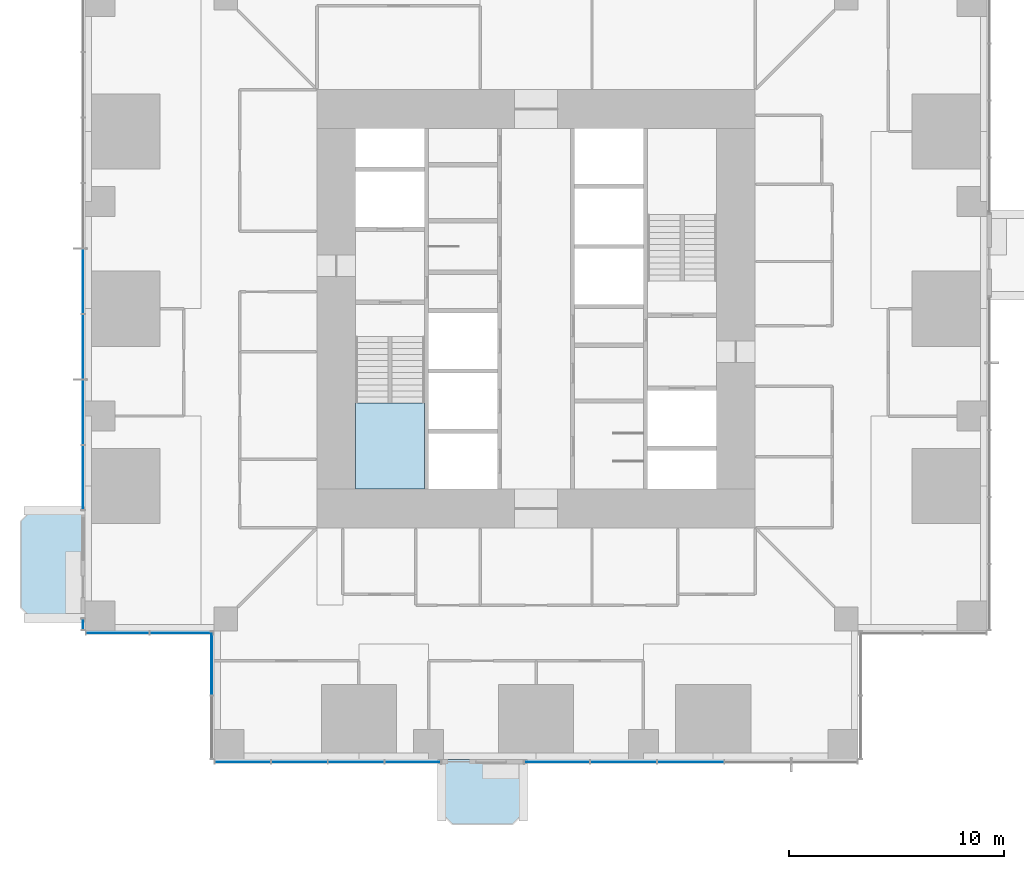
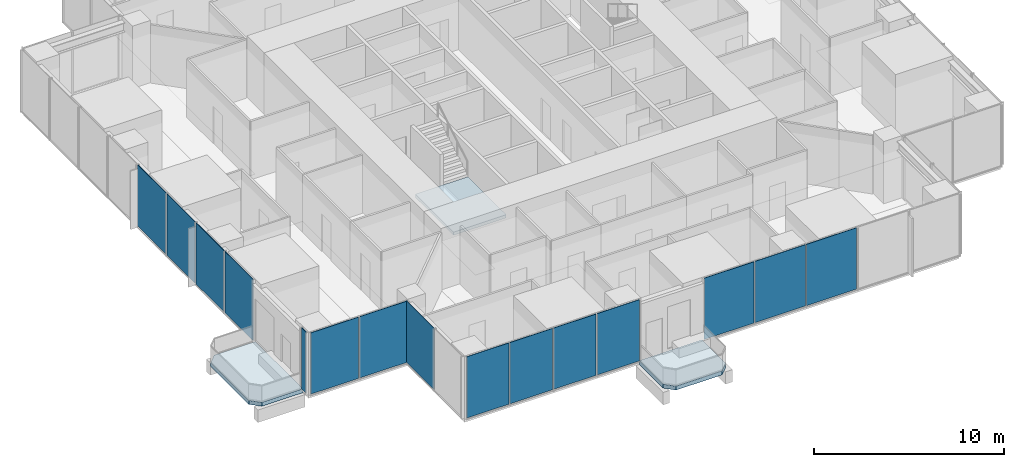
# One storey, part 8 of 18: 15 plates, 3 slabs, 7 elements without a shape of their own.
"""IFC4 building model written with IfcOpenShell, lengths in metres."""

from ifc_helpers import new_model, si_unit, direction, frame, origin, origin_2d, place, context, subcontext, project, spatial, polyline, rectangle, outline, extrude, material, layer, layer_set, type_object, element, aggregate, save


model = new_model("IFC4")

# Units and contexts
model_context = context("Model", 3, precision=1e-05, world=origin(), true_north=direction((0.0, 1.0)))
body_context = subcontext(model_context, "Body", "Model", "MODEL_VIEW")
ifc_project = project(units=[si_unit("LENGTHUNIT", "METRE"), si_unit("AREAUNIT", "SQUARE_METRE"), si_unit("VOLUMEUNIT", "CUBIC_METRE"), si_unit("PLANEANGLEUNIT", "RADIAN"), si_unit("MASSUNIT", "GRAM", prefix="KILO")], contexts=[model_context])

# Site, building, storey
site_placement = place(None, origin())
site = spatial("IfcSite", under=ifc_project, at=site_placement, CompositionType="ELEMENT")
building_placement = place(site_placement, origin())
building = spatial("IfcBuilding", under=site, at=building_placement, Name="Svetlomir Tower", CompositionType="ELEMENT")
storey_placement = place(building_placement, frame((0.0, 0.0, 54.5)))
storey = spatial("IfcBuildingStorey", under=building, at=storey_placement, Name="L12", CompositionType="ELEMENT", Elevation=54.5)

# Slabs
ifc_material_1 = material(Name="Concrete C60/75", Category="concrete")
ifc_layer_1 = layer(ifc_material_1, 0.25)
ifc_layer_set_1 = layer_set([ifc_layer_1], Name="Concrete C60/75")
slab_type_1 = type_object("IfcSlabType", Name="BALCONY SLAB 250", PredefinedType="FLOOR", material=ifc_layer_set_1)
slab_1_placement = place(storey_placement, frame((0.0, 0.0, -0.25)))
element("IfcSlab", 1, at=slab_1_placement, inside=storey, type_object=slab_type_1, Name="L12 S planted balcony", PredefinedType="FLOOR", context=body_context, shape_type="SweptSolid", body=[
    extrude(outline(polyline([(16.60009765625, -2.5), (17.10009765625, -3.0), (19.89990234375, -3.0), (20.39990234375, -2.5), (20.39990234375, 0.0), (16.60009765625, 0.0), (16.60009765625, -2.5)])), origin(), (0.0, 0.0, 1.0), 0.25),
])
slab_2_placement = place(storey_placement, frame((0.0, 0.0, -0.25)))
element("IfcSlab", 2, at=slab_2_placement, inside=storey, type_object=slab_type_1, Name="L12 W planted balcony", PredefinedType="FLOOR", context=body_context, shape_type="SweptSolid", body=[
    extrude(outline(polyline([(-2.5, 6.60009765625), (0.0, 6.60009765625), (0.0, 11.60009765625), (-2.5, 11.60009765625), (-3.0, 11.10009765625), (-3.0, 7.10009765625), (-2.5, 6.60009765625)])), origin(), (0.0, 0.0, 1.0), 0.25),
])

# Curtain wall, plates
ifc_material_2 = material(Name="Bronze anodised aluminium curtain wall", Category="aluminium")
curtain_wall_type = type_object("IfcCurtainWallType", Name="CURTAIN WALL CW1 TOWER OFFICE", PredefinedType="NOTDEFINED", material=ifc_material_2)
curtain_wall_1_placement = place(storey_placement, origin())
curtain_wall_1 = element("IfcCurtainWall", 3, at=curtain_wall_1_placement, inside=storey, type_object=curtain_wall_type, Name="Curtain wall CW1 L12", PredefinedType="NOTDEFINED")
ifc_material_3 = material(Name="Tinted double glazed unit", Category="glass")
ifc_layer_2 = layer(ifc_material_3, 0.031982421875)
ifc_layer_set_2 = layer_set([ifc_layer_2], Name="Tinted double glazed unit")
plate_type = type_object("IfcPlateType", Name="CW1 GLAZED PANEL 32", PredefinedType="CURTAIN_PANEL", material=ifc_layer_set_2)
plate_1_placement = place(storey_placement, frame((7.34130859375, -0.10009765625, 0.06494140625), z_axis=(0.0, 0.0, 1.0), x_axis=(1.0, 0.0, 0.0)))
plate_1 = element("IfcPlate", 4, at=plate_1_placement, type_object=plate_type, Name="CW1 panel 1.1", PredefinedType="CURTAIN_PANEL", context=body_context, shape_type="SweptSolid", body=[
    extrude(rectangle(XDim=2.552490234375, YDim=0.031982421875, at=origin_2d()), origin(), (0.0, 0.0, 1.0), 3.93505859375),
])
plate_2_placement = place(storey_placement, frame((9.97509765625, -0.10009765625, 0.06494140625), z_axis=(0.0, 0.0, 1.0), x_axis=(1.0, 0.0, 0.0)))
plate_2 = element("IfcPlate", 5, at=plate_2_placement, type_object=plate_type, Name="CW1 panel 2.1", PredefinedType="CURTAIN_PANEL", context=body_context, shape_type="SweptSolid", body=[
    extrude(rectangle(XDim=2.5849609375, YDim=0.031982421875, at=origin_2d()), origin(), (0.0, 0.0, 1.0), 3.93505859375),
])
plate_3_placement = place(storey_placement, frame((12.625, -0.10009765625, 0.06494140625), z_axis=(0.0, 0.0, 1.0), x_axis=(1.0, 0.0, 0.0)))
plate_3 = element("IfcPlate", 6, at=plate_3_placement, type_object=plate_type, Name="CW1 panel 3.1", PredefinedType="CURTAIN_PANEL", context=body_context, shape_type="SweptSolid", body=[
    extrude(rectangle(XDim=2.5849609375, YDim=0.031982421875, at=origin_2d()), origin(), (0.0, 0.0, 1.0), 3.93505859375),
])
plate_4_placement = place(storey_placement, frame((15.2587890625, -0.10009765625, 0.06494140625), z_axis=(0.0, 0.0, 1.0), x_axis=(1.0, 0.0, 0.0)))
plate_4 = element("IfcPlate", 7, at=plate_4_placement, type_object=plate_type, Name="CW1 panel 4.1", PredefinedType="CURTAIN_PANEL", context=body_context, shape_type="SweptSolid", body=[
    extrude(rectangle(XDim=2.552490234375, YDim=0.031982421875, at=origin_2d()), origin(), (0.0, 0.0, 1.0), 3.93505859375),
])
aggregate(curtain_wall_1, [plate_1, plate_2, plate_3, plate_4])

curtain_wall_2_placement = place(storey_placement, origin())
curtain_wall_2 = element("IfcCurtainWall", 8, at=curtain_wall_2_placement, inside=storey, type_object=curtain_wall_type, Name="Curtain wall CW1 L12", PredefinedType="NOTDEFINED")
plate_5_placement = place(storey_placement, frame((21.976318359375, -0.10009765625, 0.06494140625), z_axis=(0.0, 0.0, 1.0), x_axis=(1.0, 0.0, 0.0)))
plate_5 = element("IfcPlate", 9, at=plate_5_placement, type_object=plate_type, Name="CW1 panel 1.1", PredefinedType="CURTAIN_PANEL", context=body_context, shape_type="SweptSolid", body=[
    extrude(rectangle(XDim=3.0224609375, YDim=0.031982421875, at=origin_2d()), origin(), (0.0, 0.0, 1.0), 3.93505859375),
])
plate_6_placement = place(storey_placement, frame((25.080078125, -0.10009765625, 0.06494140625), z_axis=(0.0, 0.0, 1.0), x_axis=(1.0, 0.0, 0.0)))
plate_6 = element("IfcPlate", 10, at=plate_6_placement, type_object=plate_type, Name="CW1 panel 2.1", PredefinedType="CURTAIN_PANEL", context=body_context, shape_type="SweptSolid", body=[
    extrude(rectangle(XDim=3.054931640625, YDim=0.031982421875, at=origin_2d()), origin(), (0.0, 0.0, 1.0), 3.93505859375),
])
plate_7_placement = place(storey_placement, frame((28.199951171875, -0.10009765625, 0.06494140625), z_axis=(0.0, 0.0, 1.0), x_axis=(1.0, 0.0, 0.0)))
plate_7 = element("IfcPlate", 11, at=plate_7_placement, type_object=plate_type, Name="CW1 panel 3.1", PredefinedType="CURTAIN_PANEL", context=body_context, shape_type="SweptSolid", body=[
    extrude(rectangle(XDim=3.054931640625, YDim=0.031982421875, at=origin_2d()), origin(), (0.0, 0.0, 1.0), 3.93505859375),
])
aggregate(curtain_wall_2, [plate_5, plate_6, plate_7])

curtain_wall_3_placement = place(storey_placement, origin())
curtain_wall_3 = element("IfcCurtainWall", 12, at=curtain_wall_3_placement, inside=storey, type_object=curtain_wall_type, Name="Curtain wall CW1 L12", PredefinedType="NOTDEFINED")
plate_8_placement = place(storey_placement, frame((-0.10009765625, 22.27490234375, 0.06494140625), z_axis=(0.0, 0.0, 1.0), x_axis=(0.0, -1.0, 0.0)))
plate_8 = element("IfcPlate", 13, at=plate_8_placement, type_object=plate_type, Name="CW1 panel 5.1", PredefinedType="CURTAIN_PANEL", context=body_context, shape_type="SweptSolid", body=[
    extrude(rectangle(XDim=2.985107421875, YDim=0.031982421875, at=origin_2d()), origin(), (0.0, 0.0, 1.0), 3.93505859375),
])
plate_9_placement = place(storey_placement, frame((-0.10009765625, 19.22509765625, 0.06494140625), z_axis=(0.0, 0.0, 1.0), x_axis=(0.0, -1.0, 0.0)))
plate_9 = element("IfcPlate", 14, at=plate_9_placement, type_object=plate_type, Name="CW1 panel 6.1", PredefinedType="CURTAIN_PANEL", context=body_context, shape_type="SweptSolid", body=[
    extrude(rectangle(XDim=2.985107421875, YDim=0.031982421875, at=origin_2d()), origin(), (0.0, 0.0, 1.0), 3.93505859375),
])
plate_10_placement = place(storey_placement, frame((-0.10009765625, 16.175048828125, 0.06494140625), z_axis=(0.0, 0.0, 1.0), x_axis=(0.0, -1.0, 0.0)))
plate_10 = element("IfcPlate", 15, at=plate_10_placement, type_object=plate_type, Name="CW1 panel 7.1", PredefinedType="CURTAIN_PANEL", context=body_context, shape_type="SweptSolid", body=[
    extrude(rectangle(XDim=2.985107421875, YDim=0.031982421875, at=origin_2d()), origin(), (0.0, 0.0, 1.0), 3.93505859375),
])
plate_11_placement = place(storey_placement, frame((-0.10009765625, 13.141357421875, 0.06494140625), z_axis=(0.0, 0.0, 1.0), x_axis=(0.0, -1.0, 0.0)))
plate_11 = element("IfcPlate", 16, at=plate_11_placement, type_object=plate_type, Name="CW1 panel 8.1", PredefinedType="CURTAIN_PANEL", context=body_context, shape_type="SweptSolid", body=[
    extrude(rectangle(XDim=2.952392578125, YDim=0.031982421875, at=origin_2d()), origin(), (0.0, 0.0, 1.0), 3.93505859375),
])
aggregate(curtain_wall_3, [plate_8, plate_9, plate_10, plate_11])

# Curtain wall, plate
curtain_wall_4_placement = place(storey_placement, origin())
curtain_wall_4 = element("IfcCurtainWall", 17, at=curtain_wall_4_placement, inside=storey, type_object=curtain_wall_type, Name="Curtain wall CW1 L12", PredefinedType="NOTDEFINED")
plate_12_placement = place(storey_placement, frame((-0.10009765625, 6.300048828125, 0.06494140625), z_axis=(0.0, 0.0, 1.0), x_axis=(0.0, -1.0, 0.0)))
plate_12 = element("IfcPlate", 18, at=plate_12_placement, type_object=plate_type, Name="CW1 panel 1.1", PredefinedType="CURTAIN_PANEL", context=body_context, shape_type="SweptSolid", body=[
    extrude(rectangle(XDim=0.469970703125, YDim=0.031982421875, at=origin_2d()), origin(), (0.0, 0.0, 1.0), 3.93505859375),
])
aggregate(curtain_wall_4, [plate_12])

# Curtain wall, plates
curtain_wall_5_placement = place(storey_placement, origin())
curtain_wall_5 = element("IfcCurtainWall", 19, at=curtain_wall_5_placement, inside=storey, type_object=curtain_wall_type, Name="Curtain wall CW1 L12", PredefinedType="NOTDEFINED")
plate_13_placement = place(storey_placement, frame((1.516357421875, 5.89990234375, 0.06494140625), z_axis=(0.0, 0.0, 1.0), x_axis=(1.0, 0.0, 0.0)))
plate_13 = element("IfcPlate", 20, at=plate_13_placement, type_object=plate_type, Name="CW1 panel 1.1", PredefinedType="CURTAIN_PANEL", context=body_context, shape_type="SweptSolid", body=[
    extrude(rectangle(XDim=2.902587890625, YDim=0.031982421875, at=origin_2d()), origin(), (0.0, 0.0, 1.0), 3.93505859375),
])
plate_14_placement = place(storey_placement, frame((4.483642578125, 5.89990234375, 0.06494140625), z_axis=(0.0, 0.0, 1.0), x_axis=(1.0, 0.0, 0.0)))
plate_14 = element("IfcPlate", 21, at=plate_14_placement, type_object=plate_type, Name="CW1 panel 2.1", PredefinedType="CURTAIN_PANEL", context=body_context, shape_type="SweptSolid", body=[
    extrude(rectangle(XDim=2.902587890625, YDim=0.031982421875, at=origin_2d()), origin(), (0.0, 0.0, 1.0), 3.93505859375),
])
aggregate(curtain_wall_5, [plate_13, plate_14])

# Curtain wall, plate
curtain_wall_6_placement = place(storey_placement, origin())
curtain_wall_6 = element("IfcCurtainWall", 22, at=curtain_wall_6_placement, inside=storey, type_object=curtain_wall_type, Name="Curtain wall CW1 L12", PredefinedType="NOTDEFINED")
plate_15_placement = place(storey_placement, frame((5.89990234375, 4.483642578125, 0.06494140625), z_axis=(0.0, 0.0, 1.0), x_axis=(0.0, -1.0, 0.0)))
plate_15 = element("IfcPlate", 23, at=plate_15_placement, type_object=plate_type, Name="CW1 panel 1.1", PredefinedType="CURTAIN_PANEL", context=body_context, shape_type="SweptSolid", body=[
    extrude(rectangle(XDim=2.902587890625, YDim=0.031982421875, at=origin_2d()), origin(), (0.0, 0.0, 1.0), 3.93505859375),
])
aggregate(curtain_wall_6, [plate_15])

# Stair, slab
ifc_material_4 = material(Name="Concrete C60/75", Category="concrete")
stair_type = type_object("IfcStairType", Name="EXIT STAIR 3200 RISE 4000", PredefinedType="HALF_TURN_STAIR", material=ifc_material_4)
stair_placement = place(storey_placement, origin())
stair = element("IfcStair", 24, at=stair_placement, inside=storey, type_object=stair_type, Name="Stair S1 L12 to L13", PredefinedType="HALF_TURN_STAIR")
ifc_material_5 = material(Name="Concrete C60/75", Category="concrete")
ifc_layer_3 = layer(ifc_material_5, 0.199951171875)
ifc_layer_set_3 = layer_set([ifc_layer_3], Name="Concrete C60/75")
slab_type_2 = type_object("IfcSlabType", Name="STAIR LANDING 200", PredefinedType="LANDING", material=ifc_layer_set_3)
slab_3_placement = place(storey_placement, frame((0.0, 0.0, 1.800048828125)))
slab_3 = element("IfcSlab", 25, at=slab_3_placement, type_object=slab_type_2, Name="S1 landing 1", PredefinedType="LANDING", context=body_context, shape_type="SweptSolid", body=[
    extrude(outline(polyline([(12.60009765625, 12.60009765625), (15.800048828125, 12.60009765625), (15.800048828125, 16.6201171875), (12.60009765625, 16.6201171875), (12.60009765625, 12.60009765625)])), origin(), (0.0, 0.0, 1.0), 0.199951171875),
])
aggregate(stair, [slab_3])

save(model, "model.ifc")
